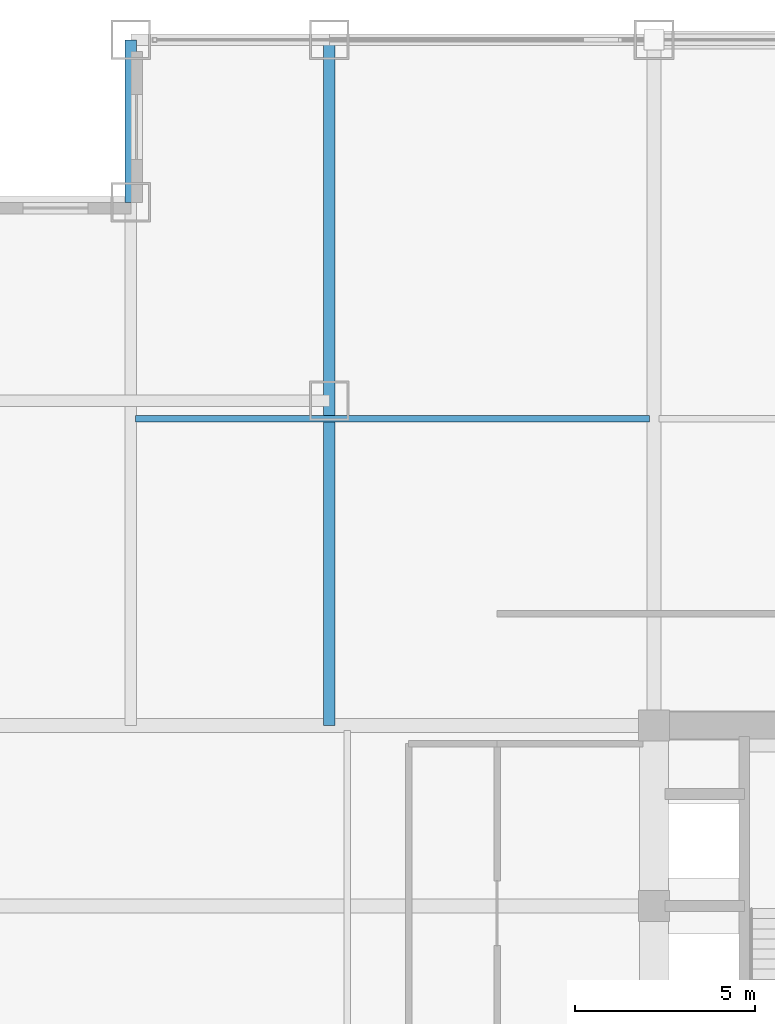
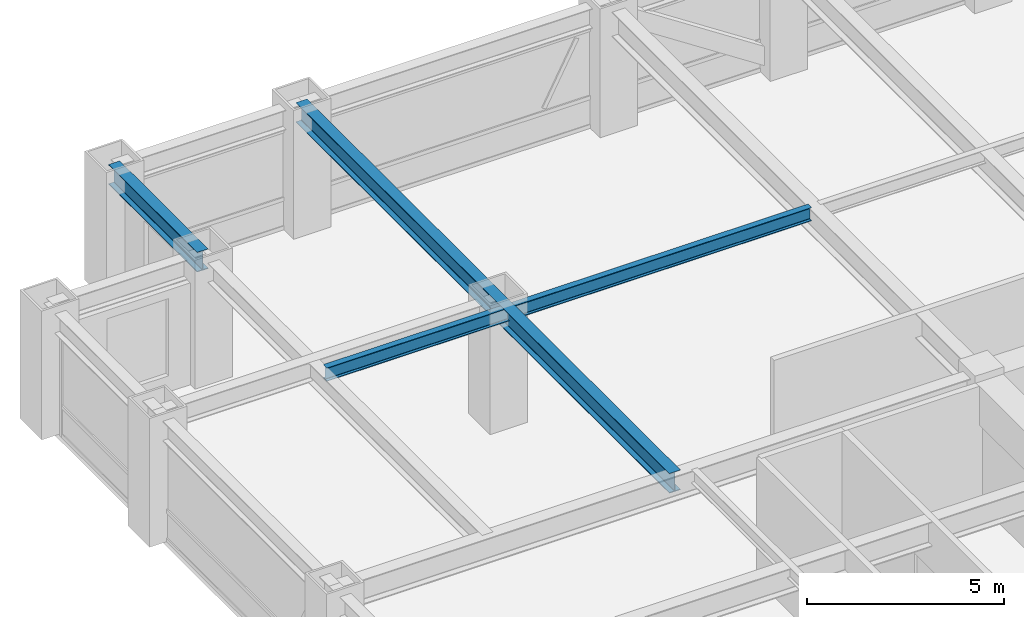
# One storey, part 13 of 24: 3 beams.
"""IFC4 building model written with IfcOpenShell, lengths in metres."""

from ifc_helpers import new_model, si_unit, direction, frame, origin, origin_2d, place, context, subcontext, project, spatial, i_section, extrude, source, transform, mapped, material, material_profile, profile_set, type_object, element, save


model = new_model("IFC4")

# Units and contexts
model_context = context("Model", 3, precision=1e-05, world=origin(), true_north=direction((0.0, 1.0)))
body_context = subcontext(model_context, "Body", "Model", "MODEL_VIEW")
ifc_project = project(units=[si_unit("LENGTHUNIT", "METRE"), si_unit("AREAUNIT", "SQUARE_METRE"), si_unit("VOLUMEUNIT", "CUBIC_METRE"), si_unit("PLANEANGLEUNIT", "RADIAN"), si_unit("MASSUNIT", "GRAM", prefix="KILO")], contexts=[model_context])

# Site, building, storey
site_placement = place(None, origin())
site = spatial("IfcSite", under=ifc_project, at=site_placement, CompositionType="ELEMENT")
building_placement = place(site_placement, origin())
building = spatial("IfcBuilding", under=site, at=building_placement, Name="Khorayat Bourse Tower", CompositionType="ELEMENT")
storey_placement = place(building_placement, frame((0.0, 0.0, 159.10009765625)))
storey = spatial("IfcBuildingStorey", under=building, at=storey_placement, Name="L36", CompositionType="ELEMENT", Elevation=159.10009765625)

# Beams
ifc_material = material(Name="Steel ASTM A992 Grade 50", Category="steel")
ifc_material_profile_1 = material_profile(ifc_material, i_section(OverallWidth=0.324951171875, OverallDepth=0.615966796875, WebThickness=0.013916015625, FlangeThickness=0.021484375, FilletRadius=0.01611328125, at=origin_2d()), Name="W610X174")
ifc_profile_set_1 = profile_set([ifc_material_profile_1], Name="Steel ASTM A992 Grade 50")
beam_type_1 = type_object("IfcBeamType", Name="BM-GIRD-610", PredefinedType="BEAM", material=ifc_profile_set_1)
shared_shape_1 = source(origin(), body_context, "Body", "SweptSolid", [
    extrude(i_section(OverallWidth=0.324951171875, OverallDepth=0.615966796875, WebThickness=0.013916015625, FlangeThickness=0.021484375, FilletRadius=0.01611328125, at=origin_2d()), origin(), (0.0, 0.0, 1.0), 19.0),
])
beam_1_placement = place(storey_placement, frame((-20.0, 11.0, 3.471923828125), z_axis=(0.0, 1.0, 0.0), x_axis=(-1.0, 0.0, 0.0)))
element("IfcBeam", 1, at=beam_1_placement, inside=storey, type_object=beam_type_1, Name="L36 BM-GIRD-610 BM-L36-CNRY-085", PredefinedType="BEAM", context=body_context, shape_type="MappedRepresentation", body=[
    mapped(shared_shape_1, transform((0.0, 0.0, 0.0), scale=1.0)),
])
ifc_material_profile_2 = material_profile(ifc_material, i_section(OverallWidth=0.180908203125, OverallDepth=0.4169921875, WebThickness=0.010986328125, FlangeThickness=0.018310546875, FilletRadius=0.011962890625, at=origin_2d()), Name="W410X85")
ifc_profile_set_2 = profile_set([ifc_material_profile_2], Name="Steel ASTM A992 Grade 50")
beam_type_2 = type_object("IfcBeamType", Name="BM-JOIST-410", PredefinedType="JOIST", material=ifc_profile_set_2)
shared_shape_2 = source(origin(), body_context, "Body", "SweptSolid", [
    extrude(i_section(OverallWidth=0.180908203125, OverallDepth=0.4169921875, WebThickness=0.010986328125, FlangeThickness=0.018310546875, FilletRadius=0.011962890625, at=origin_2d()), origin(), (0.0, 0.0, 1.0), 14.240234375),
])
beam_2_placement = place(storey_placement, frame((-25.3701171875, 19.5, 3.5712890625), z_axis=(1.0, 0.0, 0.0), x_axis=(0.0, 1.0, 0.0)))
element("IfcBeam", 2, at=beam_2_placement, inside=storey, type_object=beam_type_2, Name="L36 BM-JOIST-410 BM-L36-JSTX-099", PredefinedType="JOIST", context=body_context, shape_type="MappedRepresentation", body=[
    mapped(shared_shape_2, transform((0.0, 0.0, 0.0), scale=1.0)),
])
ifc_material_profile_3 = material_profile(ifc_material, i_section(OverallWidth=0.324951171875, OverallDepth=0.615966796875, WebThickness=0.013916015625, FlangeThickness=0.021484375, FilletRadius=0.01611328125, at=origin_2d()), Name="W610X174")
ifc_profile_set_3 = profile_set([ifc_material_profile_3], Name="Steel ASTM A992 Grade 50")
beam_type_3 = type_object("IfcBeamType", Name="BM-SPAN-610", PredefinedType="SPANDREL", material=ifc_profile_set_3)
shared_shape_3 = source(origin(), body_context, "Body", "SweptSolid", [
    extrude(i_section(OverallWidth=0.324951171875, OverallDepth=0.615966796875, WebThickness=0.013916015625, FlangeThickness=0.021484375, FilletRadius=0.01611328125, at=origin_2d()), origin(), (0.0, 0.0, 1.0), 4.5),
])
beam_3_placement = place(storey_placement, frame((-25.5, 25.5, 3.471923828125), z_axis=(0.0, 1.0, 0.0), x_axis=(-1.0, 0.0, 0.0)))
element("IfcBeam", 3, at=beam_3_placement, inside=storey, type_object=beam_type_3, Name="L36 BM-SPAN-610 BM-L36-SPN-052", PredefinedType="SPANDREL", context=body_context, shape_type="MappedRepresentation", body=[
    mapped(shared_shape_3, transform((0.0, 0.0, 0.0), scale=1.0)),
])

save(model, "model.ifc")
